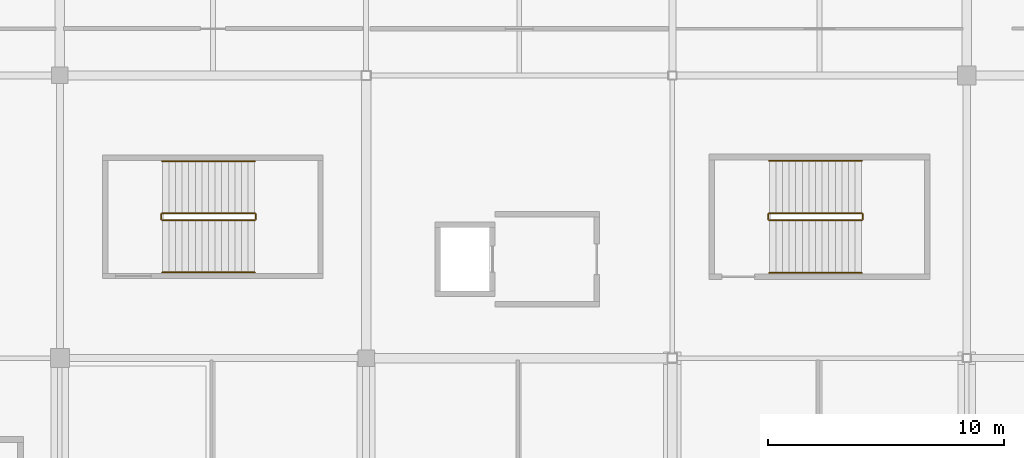
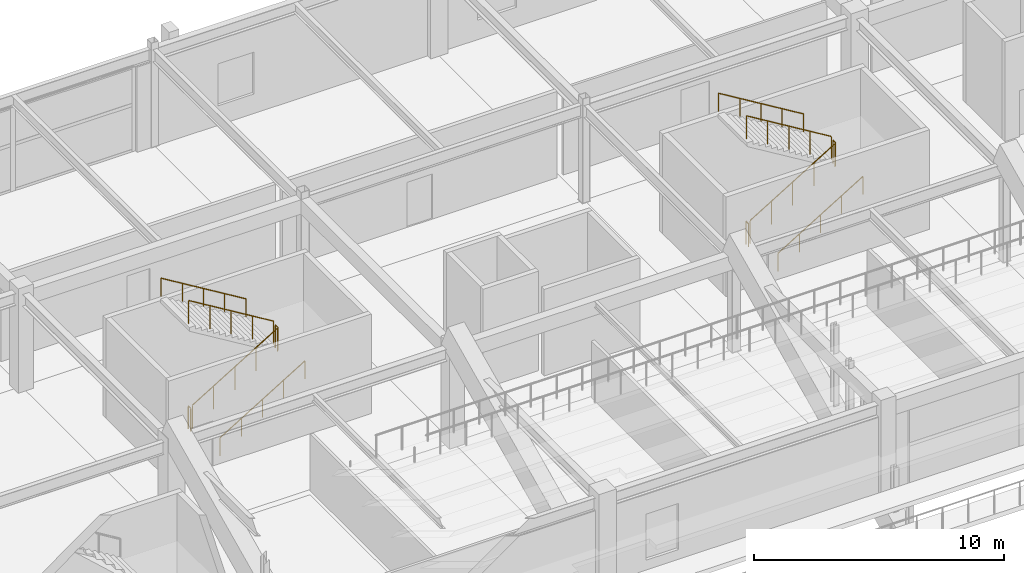
# One storey, part 127 of 128: 12 railings.
"""IFC4 building model written with IfcOpenShell, lengths in metres."""

import ifcopenshell
import ifcopenshell.guid

model = None  # the IFC model being written
_history = None  # IfcOwnerHistory: only IFC2X3 demands one
_inside = {}  # id of a spatial element -> (the spatial element, [elements in it])
_under = {}  # id of a project, library or spatial element -> (it, [spatial elements below it])
_declared = {}  # id of a project -> (the project, [libraries it declares])
_typed = {}  # id of a type object -> (the type object, [elements of that type])
_made_of = {}  # id of a material, layer set ... -> (it, [elements and type objects made of it])


def new_model(schema):
    """Start an empty IFC model of exactly this schema.

    Asked for "IFC4X3", IfcOpenShell would pick the latest addendum, in which some entities
    have other attributes; the version numbers below select the first issue.
    IFC2X3 requires an IfcOwnerHistory on every rooted entity: one is made here for all.
    """
    global model, _history
    if schema == "IFC4X3":
        model = ifcopenshell.file(schema_version=(4, 3, 0, 0))
    else:
        model = ifcopenshell.file(schema=schema)
    _inside.clear()
    _under.clear()
    _declared.clear()
    _typed.clear()
    _made_of.clear()
    _history = None
    if model.schema == "IFC2X3":
        org = make("IfcOrganization", Name="unknown")
        user = make(
            "IfcPersonAndOrganization",
            ThePerson=make("IfcPerson", FamilyName="unknown"),
            TheOrganization=org,
        )
        app = make(
            "IfcApplication",
            ApplicationDeveloper=org,
            Version="unknown",
            ApplicationFullName="unknown",
            ApplicationIdentifier="unknown",
        )
        _history = make(
            "IfcOwnerHistory",
            OwningUser=user,
            OwningApplication=app,
            ChangeAction="ADDED",
            CreationDate=0,
        )
    return model


def make(cls, **values):
    """One entity of the class cls with the attributes given. An attribute that is None is left unset."""
    return model.create_entity(
        cls, **{name: value for name, value in values.items() if value is not None}
    )


def rooted(cls, **values):
    """An entity with a GlobalId (a new one), such as an element, a storey or a relation."""
    return make(cls, GlobalId=ifcopenshell.guid.new(), OwnerHistory=_history, **values)


def si_unit(unit_type, name, prefix=None):
    """IfcSIUnit, for example si_unit("LENGTHUNIT", "METRE", prefix="MILLI")."""
    return make("IfcSIUnit", UnitType=unit_type, Prefix=prefix, Name=name)


def assignment(units):
    """IfcUnitAssignment: the units of a project."""
    return None if units is None else make("IfcUnitAssignment", Units=units)


def point(xyz):
    """IfcCartesianPoint."""
    return None if xyz is None else make("IfcCartesianPoint", Coordinates=xyz)


def direction(xyz):
    """IfcDirection."""
    return None if xyz is None else make("IfcDirection", DirectionRatios=xyz)


def frame(location, z_axis=None, x_axis=None):
    """IfcAxis2Placement3D, a coordinate frame: its origin and axes. An axis left out is left unset."""
    return make(
        "IfcAxis2Placement3D",
        Location=point(location),
        Axis=direction(z_axis),
        RefDirection=direction(x_axis),
    )


def frame_2d(location, x_axis=None):
    """IfcAxis2Placement2D, a coordinate frame in the plane: its origin and x axis."""
    return make(
        "IfcAxis2Placement2D", Location=point(location), RefDirection=direction(x_axis)
    )


def origin():
    """The frame at (0, 0, 0) with its axes left unset."""
    return frame((0.0, 0.0, 0.0))


def origin_2d():
    """The frame at (0, 0) in the plane with its x axis left unset."""
    return frame_2d((0.0, 0.0))


def place(relative_to, where):
    """IfcLocalPlacement: puts the frame where relative to a parent placement (None: the world)."""
    return make(
        "IfcLocalPlacement", PlacementRelTo=relative_to, RelativePlacement=where
    )


def context(
    kind, dimensions, precision=None, world=None, true_north=None, identifier=None
):
    """IfcGeometricRepresentationContext, for example the 3D "Model" context."""
    return make(
        "IfcGeometricRepresentationContext",
        ContextIdentifier=identifier,
        ContextType=kind,
        CoordinateSpaceDimension=dimensions,
        Precision=precision,
        WorldCoordinateSystem=world,
        TrueNorth=true_north,
    )


def subcontext(parent, identifier, kind, view, scale=None):
    """IfcGeometricRepresentationSubContext, for example "Body" below "Model"."""
    return make(
        "IfcGeometricRepresentationSubContext",
        ContextIdentifier=identifier,
        ContextType=kind,
        ParentContext=parent,
        TargetScale=scale,
        TargetView=view,
    )


def project(units=None, contexts=None):
    """IfcProject with its units and contexts."""
    return rooted(
        "IfcProject",
        Name="project",
        RepresentationContexts=contexts,
        UnitsInContext=assignment(units),
    )


def spatial(cls, under=None, at=None, **own):
    """A site, building, storey or space (cls), placed at a placement, below another one or the project."""
    s = rooted(cls, ObjectPlacement=at, **own)
    if under is not None:
        _under.setdefault(under.id(), (under, []))[1].append(s)
    return s


def profile(cls, at=None, kind="AREA", **sizes):
    """A parametric profile (cls). Its sizes go by their IFC names, for example OverallWidth=200.0."""
    return make(cls, ProfileType=kind, Position=at, **sizes)


def circle(**sizes):
    """IfcCircleProfileDef."""
    return profile("IfcCircleProfileDef", **sizes)


def extrude(swept, where, along, depth):
    """IfcExtrudedAreaSolid: the profile swept, set in the frame where, extruded along a direction by depth."""
    return make(
        "IfcExtrudedAreaSolid",
        SweptArea=swept,
        Position=where,
        ExtrudedDirection=direction(along),
        Depth=depth,
    )


def shape(context_of_items, identifier, shape_type, items):
    """IfcShapeRepresentation: the items that make up one representation, for example the "Body"."""
    return make(
        "IfcShapeRepresentation",
        ContextOfItems=context_of_items,
        RepresentationIdentifier=identifier,
        RepresentationType=shape_type,
        Items=items,
    )


def material(Name=None, Category=None):
    """IfcMaterial."""
    return make("IfcMaterial", Name=Name, Category=Category)


def layer(
    of_material, thickness, ventilated=None, Name=None, Category=None, Priority=None
):
    """IfcMaterialLayer: one layer of a wall or slab, of a material (None: an air gap)."""
    return make(
        "IfcMaterialLayer",
        Material=of_material,
        LayerThickness=thickness,
        IsVentilated=ventilated,
        Name=Name,
        Category=Category,
        Priority=Priority,
    )


def layer_set(layers, Name=None):
    """IfcMaterialLayerSet."""
    return make("IfcMaterialLayerSet", MaterialLayers=layers, LayerSetName=Name)


def made_of(thing, what):
    """Note that an element or type object is made of a material, layer set ...; save() writes the relation."""
    if what is not None:
        _made_of.setdefault(what.id(), (what, []))[1].append(thing)
    return thing


def type_object(cls, material=None, **own):
    """A type object (cls), such as IfcWallType, which elements share."""
    return made_of(rooted(cls, **own), material)


def element(
    cls,
    number,
    at=None,
    inside=None,
    cuts=None,
    type_object=None,
    material=None,
    context=None,
    identifier="Body",
    shape_type=None,
    held_by="IfcProductDefinitionShape",
    body=None,
    shapes=None,
    **own,
):
    """One element of the class cls, such as IfcWall. Its Tag is "e" and its number.

    at: its placement. inside: the storey or other place that contains it. cuts: it is an
    opening in that element (IfcRelVoidsElement). A single representation is given by context,
    identifier, shape_type and body (its items); several are given by shapes. held_by: the class
    of the entity that holds the representations. save() writes the other relations.
    """
    e = rooted(cls, Tag="e%d" % number, ObjectPlacement=at, **own)
    if body is not None:
        shapes = [shape(context, identifier, shape_type, body)]
    if shapes is not None:
        e.Representation = make(held_by, Representations=shapes)
    if inside is not None:
        _inside.setdefault(inside.id(), (inside, []))[1].append(e)
    if cuts is not None:
        rooted(
            "IfcRelVoidsElement", RelatingBuildingElement=cuts, RelatedOpeningElement=e
        )
    if type_object is not None:
        _typed.setdefault(type_object.id(), (type_object, []))[1].append(e)
    return made_of(e, material)


def aggregate(whole, parts):
    """IfcRelAggregates: a whole, such as a stair, and the parts it consists of."""
    return rooted("IfcRelAggregates", RelatingObject=whole, RelatedObjects=parts)


def save(model, path):
    """Write the relations noted so far, then the file.

    IfcRelAggregates (storeys below a building ...), IfcRelContainedInSpatialStructure (elements
    in a storey), IfcRelDefinesByType, IfcRelAssociatesMaterial and IfcRelDeclares: one each for
    every whole, place, type object, material and project.
    """
    for whole, parts in _under.values():
        aggregate(whole, parts)
    for where, things in _inside.values():
        rooted(
            "IfcRelContainedInSpatialStructure",
            RelatedElements=things,
            RelatingStructure=where,
        )
    for kind, things in _typed.values():
        rooted("IfcRelDefinesByType", RelatedObjects=things, RelatingType=kind)
    for what, things in _made_of.values():
        rooted("IfcRelAssociatesMaterial", RelatedObjects=things, RelatingMaterial=what)
    for by, libraries in _declared.values():
        rooted("IfcRelDeclares", RelatingContext=by, RelatedDefinitions=libraries)
    model.write(path)


model = new_model("IFC4")

# Units and contexts
model_context = context("Model", 3, precision=1e-05, world=origin(), true_north=direction((0.0, 1.0)))
body_context = subcontext(model_context, "Body", "Model", "MODEL_VIEW")
ifc_project = project(units=[si_unit("LENGTHUNIT", "METRE"), si_unit("AREAUNIT", "SQUARE_METRE"), si_unit("VOLUMEUNIT", "CUBIC_METRE"), si_unit("PLANEANGLEUNIT", "RADIAN"), si_unit("MASSUNIT", "GRAM", prefix="KILO")], contexts=[model_context])

# Site, building, storey
site_placement = place(None, origin())
site = spatial("IfcSite", under=ifc_project, at=site_placement, CompositionType="ELEMENT")
building_placement = place(site_placement, origin())
building = spatial("IfcBuilding", under=site, at=building_placement, Name="Kazenohara Klinker Stadium", CompositionType="ELEMENT")
storey_placement = place(building_placement, frame((0.0, 0.0, 15.300048828125)))
storey = spatial("IfcBuildingStorey", under=building, at=storey_placement, Name="L03", CompositionType="ELEMENT", Elevation=15.300048828125)

# Railings
ifc_material_1 = material(Name="Brushed stainless steel 304 handrail", Category="steel")
ifc_layer_1 = layer(ifc_material_1, 0.050048828125)
ifc_layer_set_1 = layer_set([ifc_layer_1], Name="Brushed stainless steel 304 handrail")
railing_type_1 = type_object("IfcRailingType", Name="RL-HND-900", PredefinedType="HANDRAIL", material=ifc_layer_set_1)
railing_1_placement = place(storey_placement, frame((103.35009765625, 147.639892578125, 0.169921875)))
element("IfcRailing", 1, at=railing_1_placement, inside=storey, type_object=railing_type_1, Name="L03 ST10 stair handrail 1", PredefinedType="HANDRAIL", context=body_context, shape_type="SweptSolid", body=[
    extrude(circle(Radius=0.02392578125, at=origin_2d()), frame((0.0, 0.0, 0.8759765625), z_axis=(0.854770645689, 0.0, 0.519005918337), x_axis=(0.0, 1.0, 0.0)), (0.0, 0.0, 1.0), 4.5859375),
    extrude(circle(Radius=0.02099609375, at=origin_2d()), origin(), (0.0, 0.0, 1.0), 0.851806640625),
    extrude(circle(Radius=0.02099609375, at=origin_2d()), frame((0.97998046875, 0.0, 0.594970703125)), (0.0, 0.0, 1.0), 0.851806640625),
    extrude(circle(Radius=0.02099609375, at=origin_2d()), frame((1.9599609375, 0.0, 1.18994140625)), (0.0, 0.0, 1.0), 0.851806640625),
    extrude(circle(Radius=0.02099609375, at=origin_2d()), frame((2.93994140625, 0.0, 1.78515625)), (0.0, 0.0, 1.0), 0.851806640625),
    extrude(circle(Radius=0.02099609375, at=origin_2d()), frame((3.919921875, 0.0, 2.380126953125)), (0.0, 0.0, 1.0), 0.851806640625),
])
railing_2_placement = place(storey_placement, frame((107.27001953125, 152.360107421875, 2.719970703125)))
element("IfcRailing", 2, at=railing_2_placement, inside=storey, type_object=railing_type_1, Name="L03 ST10 stair handrail 2", PredefinedType="HANDRAIL", context=body_context, shape_type="SweptSolid", body=[
    extrude(circle(Radius=0.02392578125, at=origin_2d()), frame((0.0, 0.0, 0.8759765625), z_axis=(-0.854794262968, 0.0, 0.518967020143), x_axis=(0.0, -1.0, 0.0)), (0.0, 0.0, 1.0), 4.585693359375),
    extrude(circle(Radius=0.02099609375, at=origin_2d()), origin(), (0.0, 0.0, 1.0), 0.851806640625),
    extrude(circle(Radius=0.02099609375, at=origin_2d()), frame((-0.97998046875, 0.0, 0.594970703125)), (0.0, 0.0, 1.0), 0.851806640625),
    extrude(circle(Radius=0.02099609375, at=origin_2d()), frame((-1.9599609375, 0.0, 1.18994140625)), (0.0, 0.0, 1.0), 0.851806640625),
    extrude(circle(Radius=0.02099609375, at=origin_2d()), frame((-2.93994140625, 0.0, 1.784912109375)), (0.0, 0.0, 1.0), 0.851806640625),
    extrude(circle(Radius=0.02099609375, at=origin_2d()), frame((-3.919921875, 0.0, 2.3798828125)), (0.0, 0.0, 1.0), 0.851806640625),
])
railing_3_placement = place(storey_placement, frame((129.1201171875, 147.6201171875, 0.169921875)))
element("IfcRailing", 3, at=railing_3_placement, inside=storey, type_object=railing_type_1, Name="L03 ST11 stair handrail 1", PredefinedType="HANDRAIL", context=body_context, shape_type="SweptSolid", body=[
    extrude(circle(Radius=0.02392578125, at=origin_2d()), frame((0.0, 0.0, 0.8759765625), z_axis=(0.854770645689, 0.0, 0.519005918337), x_axis=(0.0, 1.0, 0.0)), (0.0, 0.0, 1.0), 4.5859375),
    extrude(circle(Radius=0.02099609375, at=origin_2d()), origin(), (0.0, 0.0, 1.0), 0.851806640625),
    extrude(circle(Radius=0.02099609375, at=origin_2d()), frame((0.97998046875, 0.0, 0.594970703125)), (0.0, 0.0, 1.0), 0.851806640625),
    extrude(circle(Radius=0.02099609375, at=origin_2d()), frame((1.9599609375, 0.0, 1.18994140625)), (0.0, 0.0, 1.0), 0.851806640625),
    extrude(circle(Radius=0.02099609375, at=origin_2d()), frame((2.93994140625, 0.0, 1.78515625)), (0.0, 0.0, 1.0), 0.851806640625),
    extrude(circle(Radius=0.02099609375, at=origin_2d()), frame((3.919921875, 0.0, 2.380126953125)), (0.0, 0.0, 1.0), 0.851806640625),
])
railing_4_placement = place(storey_placement, frame((133.0400390625, 152.3798828125, 2.719970703125)))
element("IfcRailing", 4, at=railing_4_placement, inside=storey, type_object=railing_type_1, Name="L03 ST11 stair handrail 2", PredefinedType="HANDRAIL", context=body_context, shape_type="SweptSolid", body=[
    extrude(circle(Radius=0.02392578125, at=origin_2d()), frame((0.0, 0.0, 0.8759765625), z_axis=(-0.854794262968, 0.0, 0.518967020143), x_axis=(0.0, -1.0, 0.0)), (0.0, 0.0, 1.0), 4.585693359375),
    extrude(circle(Radius=0.02099609375, at=origin_2d()), origin(), (0.0, 0.0, 1.0), 0.851806640625),
    extrude(circle(Radius=0.02099609375, at=origin_2d()), frame((-0.97998046875, 0.0, 0.594970703125)), (0.0, 0.0, 1.0), 0.851806640625),
    extrude(circle(Radius=0.02099609375, at=origin_2d()), frame((-1.9599609375, 0.0, 1.18994140625)), (0.0, 0.0, 1.0), 0.851806640625),
    extrude(circle(Radius=0.02099609375, at=origin_2d()), frame((-2.93994140625, 0.0, 1.784912109375)), (0.0, 0.0, 1.0), 0.851806640625),
    extrude(circle(Radius=0.02099609375, at=origin_2d()), frame((-3.919921875, 0.0, 2.3798828125)), (0.0, 0.0, 1.0), 0.851806640625),
])
ifc_material_2 = material(Name="Painted steel stairwell guardrail", Category="steel")
ifc_layer_2 = layer(ifc_material_2, 0.06005859375)
ifc_layer_set_2 = layer_set([ifc_layer_2], Name="Painted steel stairwell guardrail")
railing_type_2 = type_object("IfcRailingType", Name="RL-STG-1120", PredefinedType="GUARDRAIL", material=ifc_layer_set_2)
railing_5_placement = place(storey_placement, frame((103.35009765625, 149.85009765625, 0.169921875)))
element("IfcRailing", 5, at=railing_5_placement, inside=storey, type_object=railing_type_2, Name="L03 ST10 stair guard 1", PredefinedType="GUARDRAIL", context=body_context, shape_type="SweptSolid", body=[
    extrude(circle(Radius=0.02392578125, at=origin_2d()), frame((0.0, 0.0, 1.1259765625), z_axis=(0.854770645689, 0.0, 0.519005918337), x_axis=(0.0, 1.0, 0.0)), (0.0, 0.0, 1.0), 4.5859375),
    extrude(circle(Radius=0.02099609375, at=origin_2d()), origin(), (0.0, 0.0, 1.0), 1.101806640625),
    extrude(circle(Radius=0.02099609375, at=origin_2d()), frame((0.97998046875, 0.0, 0.594970703125)), (0.0, 0.0, 1.0), 1.101806640625),
    extrude(circle(Radius=0.02099609375, at=origin_2d()), frame((1.9599609375, 0.0, 1.18994140625)), (0.0, 0.0, 1.0), 1.101806640625),
    extrude(circle(Radius=0.02099609375, at=origin_2d()), frame((2.93994140625, 0.0, 1.78515625)), (0.0, 0.0, 1.0), 1.101806640625),
    extrude(circle(Radius=0.02099609375, at=origin_2d()), frame((3.919921875, 0.0, 2.380126953125)), (0.0, 0.0, 1.0), 1.101806640625),
])
railing_6_placement = place(storey_placement, frame((107.320068359375, 149.89990234375, 2.550048828125)))
element("IfcRailing", 6, at=railing_6_placement, inside=storey, type_object=railing_type_2, Name="L03 ST10 stair guard 2", PredefinedType="GUARDRAIL", context=body_context, shape_type="SweptSolid", body=[
    extrude(circle(Radius=0.02392578125, at=origin_2d()), frame((0.0, 0.0, 1.1259765625), z_axis=(0.0, 1.0, 0.0), x_axis=(-1.0, 0.0, 0.0)), (0.0, 0.0, 1.0), 0.2001953125),
    extrude(circle(Radius=0.02099609375, at=origin_2d()), origin(), (0.0, 0.0, 1.0), 1.101806640625),
    extrude(circle(Radius=0.02099609375, at=origin_2d()), frame((0.0, 0.2001953125, 0.0)), (0.0, 0.0, 1.0), 1.101806640625),
])
railing_7_placement = place(storey_placement, frame((107.27001953125, 150.14990234375, 2.719970703125)))
element("IfcRailing", 7, at=railing_7_placement, inside=storey, type_object=railing_type_2, Name="L03 ST10 stair guard 3", PredefinedType="GUARDRAIL", context=body_context, shape_type="SweptSolid", body=[
    extrude(circle(Radius=0.02392578125, at=origin_2d()), frame((0.0, 0.0, 1.1259765625), z_axis=(-0.854794262968, 0.0, 0.518967020143), x_axis=(0.0, -1.0, 0.0)), (0.0, 0.0, 1.0), 4.585693359375),
    extrude(circle(Radius=0.02099609375, at=origin_2d()), origin(), (0.0, 0.0, 1.0), 1.101806640625),
    extrude(circle(Radius=0.02099609375, at=origin_2d()), frame((-0.97998046875, 0.0, 0.594970703125)), (0.0, 0.0, 1.0), 1.101806640625),
    extrude(circle(Radius=0.02099609375, at=origin_2d()), frame((-1.9599609375, 0.0, 1.18994140625)), (0.0, 0.0, 1.0), 1.101806640625),
    extrude(circle(Radius=0.02099609375, at=origin_2d()), frame((-2.93994140625, 0.0, 1.784912109375)), (0.0, 0.0, 1.0), 1.101806640625),
    extrude(circle(Radius=0.02099609375, at=origin_2d()), frame((-3.919921875, 0.0, 2.3798828125)), (0.0, 0.0, 1.0), 1.101806640625),
])
railing_8_placement = place(storey_placement, frame((103.300048828125, 149.89990234375, 0.0)))
element("IfcRailing", 8, at=railing_8_placement, inside=storey, type_object=railing_type_2, Name="L03 ST10 stair guard 4", PredefinedType="GUARDRAIL", context=body_context, shape_type="SweptSolid", body=[
    extrude(circle(Radius=0.02392578125, at=origin_2d()), frame((0.0, 0.0, 1.1259765625), z_axis=(0.0, 1.0, 0.0), x_axis=(-1.0, 0.0, 0.0)), (0.0, 0.0, 1.0), 0.2001953125),
    extrude(circle(Radius=0.02099609375, at=origin_2d()), origin(), (0.0, 0.0, 1.0), 1.101806640625),
    extrude(circle(Radius=0.02099609375, at=origin_2d()), frame((0.0, 0.2001953125, 0.0)), (0.0, 0.0, 1.0), 1.101806640625),
])
railing_9_placement = place(storey_placement, frame((129.1201171875, 149.85009765625, 0.169921875)))
element("IfcRailing", 9, at=railing_9_placement, inside=storey, type_object=railing_type_2, Name="L03 ST11 stair guard 1", PredefinedType="GUARDRAIL", context=body_context, shape_type="SweptSolid", body=[
    extrude(circle(Radius=0.02392578125, at=origin_2d()), frame((0.0, 0.0, 1.1259765625), z_axis=(0.854770645689, 0.0, 0.519005918337), x_axis=(0.0, 1.0, 0.0)), (0.0, 0.0, 1.0), 4.5859375),
    extrude(circle(Radius=0.02099609375, at=origin_2d()), origin(), (0.0, 0.0, 1.0), 1.101806640625),
    extrude(circle(Radius=0.02099609375, at=origin_2d()), frame((0.97998046875, 0.0, 0.594970703125)), (0.0, 0.0, 1.0), 1.101806640625),
    extrude(circle(Radius=0.02099609375, at=origin_2d()), frame((1.9599609375, 0.0, 1.18994140625)), (0.0, 0.0, 1.0), 1.101806640625),
    extrude(circle(Radius=0.02099609375, at=origin_2d()), frame((2.93994140625, 0.0, 1.78515625)), (0.0, 0.0, 1.0), 1.101806640625),
    extrude(circle(Radius=0.02099609375, at=origin_2d()), frame((3.919921875, 0.0, 2.380126953125)), (0.0, 0.0, 1.0), 1.101806640625),
])
railing_10_placement = place(storey_placement, frame((133.090087890625, 149.89990234375, 2.550048828125)))
element("IfcRailing", 10, at=railing_10_placement, inside=storey, type_object=railing_type_2, Name="L03 ST11 stair guard 2", PredefinedType="GUARDRAIL", context=body_context, shape_type="SweptSolid", body=[
    extrude(circle(Radius=0.02392578125, at=origin_2d()), frame((0.0, 0.0, 1.1259765625), z_axis=(0.0, 1.0, 0.0), x_axis=(-1.0, 0.0, 0.0)), (0.0, 0.0, 1.0), 0.2001953125),
    extrude(circle(Radius=0.02099609375, at=origin_2d()), origin(), (0.0, 0.0, 1.0), 1.101806640625),
    extrude(circle(Radius=0.02099609375, at=origin_2d()), frame((0.0, 0.2001953125, 0.0)), (0.0, 0.0, 1.0), 1.101806640625),
])
railing_11_placement = place(storey_placement, frame((133.0400390625, 150.14990234375, 2.719970703125)))
element("IfcRailing", 11, at=railing_11_placement, inside=storey, type_object=railing_type_2, Name="L03 ST11 stair guard 3", PredefinedType="GUARDRAIL", context=body_context, shape_type="SweptSolid", body=[
    extrude(circle(Radius=0.02392578125, at=origin_2d()), frame((0.0, 0.0, 1.1259765625), z_axis=(-0.854794262968, 0.0, 0.518967020143), x_axis=(0.0, -1.0, 0.0)), (0.0, 0.0, 1.0), 4.585693359375),
    extrude(circle(Radius=0.02099609375, at=origin_2d()), origin(), (0.0, 0.0, 1.0), 1.101806640625),
    extrude(circle(Radius=0.02099609375, at=origin_2d()), frame((-0.97998046875, 0.0, 0.594970703125)), (0.0, 0.0, 1.0), 1.101806640625),
    extrude(circle(Radius=0.02099609375, at=origin_2d()), frame((-1.9599609375, 0.0, 1.18994140625)), (0.0, 0.0, 1.0), 1.101806640625),
    extrude(circle(Radius=0.02099609375, at=origin_2d()), frame((-2.93994140625, 0.0, 1.784912109375)), (0.0, 0.0, 1.0), 1.101806640625),
    extrude(circle(Radius=0.02099609375, at=origin_2d()), frame((-3.919921875, 0.0, 2.3798828125)), (0.0, 0.0, 1.0), 1.101806640625),
])
railing_12_placement = place(storey_placement, frame((129.070068359375, 149.89990234375, 0.0)))
element("IfcRailing", 12, at=railing_12_placement, inside=storey, type_object=railing_type_2, Name="L03 ST11 stair guard 4", PredefinedType="GUARDRAIL", context=body_context, shape_type="SweptSolid", body=[
    extrude(circle(Radius=0.02392578125, at=origin_2d()), frame((0.0, 0.0, 1.1259765625), z_axis=(0.0, 1.0, 0.0), x_axis=(-1.0, 0.0, 0.0)), (0.0, 0.0, 1.0), 0.2001953125),
    extrude(circle(Radius=0.02099609375, at=origin_2d()), origin(), (0.0, 0.0, 1.0), 1.101806640625),
    extrude(circle(Radius=0.02099609375, at=origin_2d()), frame((0.0, 0.2001953125, 0.0)), (0.0, 0.0, 1.0), 1.101806640625),
])

save(model, "model.ifc")
